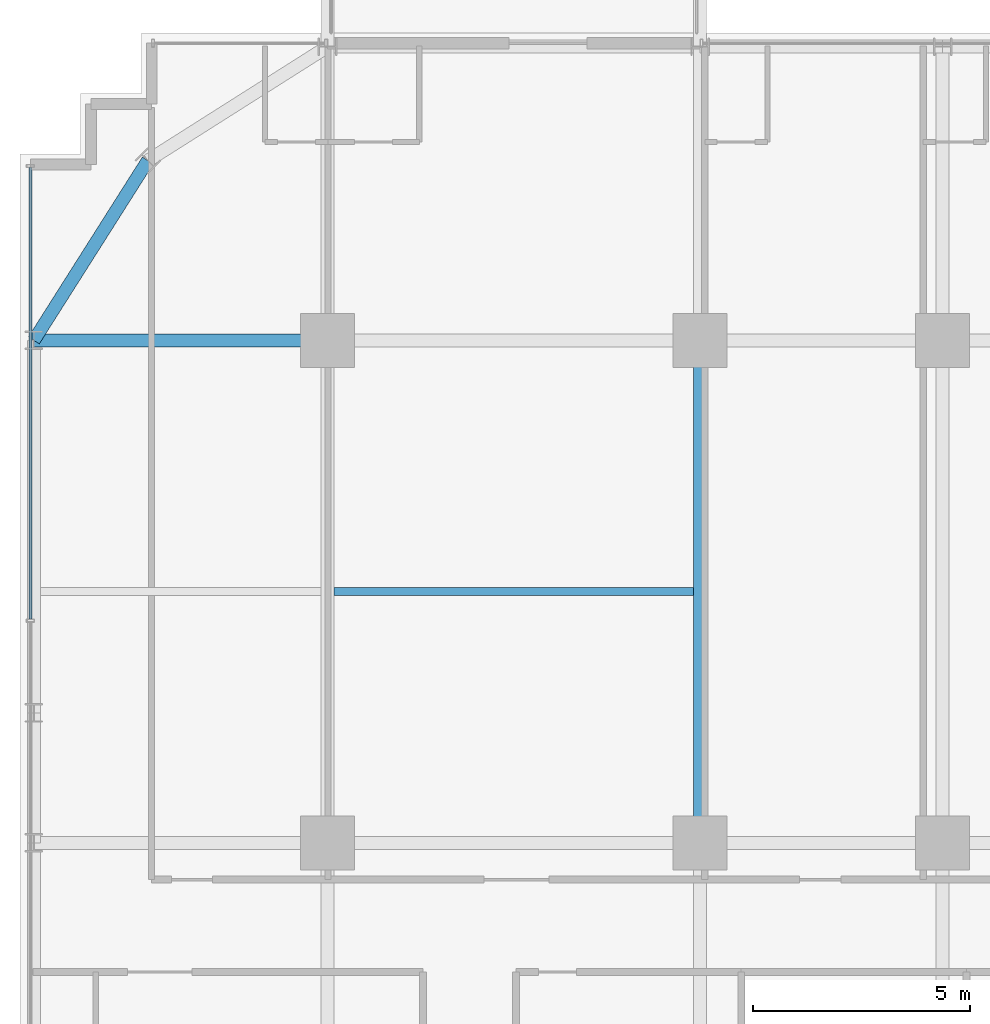
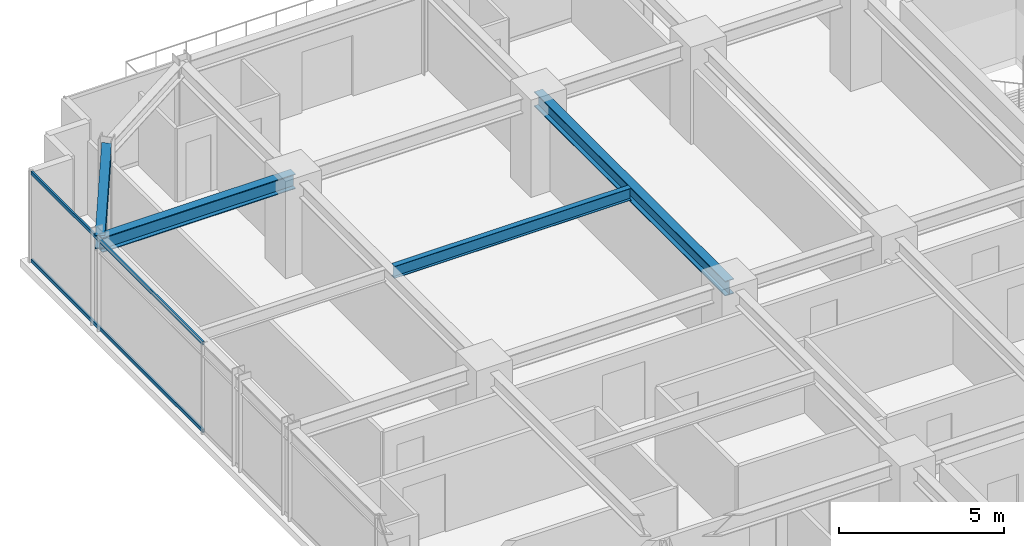
# One storey, part 17 of 34: 4 beams, 2 members, 1 element without a shape of its own.
"""IFC4 building model written with IfcOpenShell, lengths in metres."""

from ifc_helpers import new_model, si_unit, direction, frame, origin, origin_2d, place, context, subcontext, project, spatial, hollow_rectangle, i_section, extrude, source, transform, mapped, material, material_profile, profile_set, type_object, element, aggregate, save


model = new_model("IFC4")

# Units and contexts
model_context = context("Model", 3, precision=1e-05, world=origin(), true_north=direction((0.0, 1.0)))
body_context = subcontext(model_context, "Body", "Model", "MODEL_VIEW")
ifc_project = project(units=[si_unit("LENGTHUNIT", "METRE"), si_unit("AREAUNIT", "SQUARE_METRE"), si_unit("VOLUMEUNIT", "CUBIC_METRE"), si_unit("PLANEANGLEUNIT", "RADIAN"), si_unit("MASSUNIT", "GRAM", prefix="KILO")], contexts=[model_context])

# Site, building, storey
site_placement = place(None, origin())
site = spatial("IfcSite", under=ifc_project, at=site_placement, CompositionType="ELEMENT")
building_placement = place(site_placement, origin())
building = spatial("IfcBuilding", under=site, at=building_placement, Name="Nahalor Promenade Grand Hotel", CompositionType="ELEMENT")
storey_placement = place(building_placement, frame((0.0, 0.0, 128.449951171875)))
storey = spatial("IfcBuildingStorey", under=building, at=storey_placement, Name="L32", CompositionType="ELEMENT", Elevation=128.449951171875)

# Beams
ifc_material_1 = material(Name="Steel S355JR", Category="steel")
ifc_material_profile_1 = material_profile(ifc_material_1, i_section(OverallWidth=0.3, OverallDepth=0.5, WebThickness=0.0145, FlangeThickness=0.028, at=origin_2d()), Name="HEB 500")
ifc_profile_set_1 = profile_set([ifc_material_profile_1], Name="Steel S355JR")
beam_type_1 = type_object("IfcBeamType", Name="Beam-Spandrel-HEB500", PredefinedType="SPANDREL", material=ifc_profile_set_1)
shared_shape_1 = source(origin(), body_context, "Body", "SweptSolid", [
    extrude(i_section(OverallWidth=0.3, OverallDepth=0.5, WebThickness=0.0145, FlangeThickness=0.028, at=origin_2d()), origin(), (0.0, 0.0, 1.0), 4.9130859375),
])
beam_1_placement = place(storey_placement, frame((-21.14990234375, 21.14990234375, 3.130126953125), z_axis=(-0.535321591403, -0.844648325505, 0.0), x_axis=(0.844648325505, -0.535321591403, 0.0)))
element("IfcBeam", 1, at=beam_1_placement, inside=storey, type_object=beam_type_1, Name="BM-L32-SPC-NW-2", PredefinedType="SPANDREL", context=body_context, shape_type="MappedRepresentation", body=[
    mapped(shared_shape_1, transform((0.0, 0.0, 0.0), scale=1.0)),
])
ifc_material_profile_2 = material_profile(ifc_material_1, i_section(OverallWidth=0.3, OverallDepth=0.55, WebThickness=0.015, FlangeThickness=0.029, at=origin_2d()), Name="HEB 550")
ifc_profile_set_2 = profile_set([ifc_material_profile_2], Name="Steel S355JR")
beam_type_2 = type_object("IfcBeamType", Name="Beam-Girder-HEB550", PredefinedType="BEAM", material=ifc_profile_set_2)
shared_shape_2 = source(origin(), body_context, "Body", "SweptSolid", [
    extrude(i_section(OverallWidth=0.3, OverallDepth=0.55, WebThickness=0.015, FlangeThickness=0.029, at=origin_2d()), origin(), (0.0, 0.0, 1.0), 6.780029296875),
])
beam_2_placement = place(storey_placement, frame((-23.780029296875, 17.0, 3.10498046875), z_axis=(1.0, 0.0, 0.0), x_axis=(0.0, 1.0, 0.0)))
element("IfcBeam", 2, at=beam_2_placement, inside=storey, type_object=beam_type_2, Name="BM-L32-GX-3-0", PredefinedType="BEAM", context=body_context, shape_type="MappedRepresentation", body=[
    mapped(shared_shape_2, transform((0.0, 0.0, 0.0), scale=1.0)),
])
shared_shape_3 = source(origin(), body_context, "Body", "SweptSolid", [
    extrude(i_section(OverallWidth=0.3, OverallDepth=0.55, WebThickness=0.015, FlangeThickness=0.029, at=origin_2d()), origin(), (0.0, 0.0, 1.0), 11.60009765625),
])
beam_3_placement = place(storey_placement, frame((-8.39990234375, 5.39990234375, 3.10498046875), z_axis=(0.0, 1.0, 0.0), x_axis=(-1.0, 0.0, 0.0)))
element("IfcBeam", 3, at=beam_3_placement, inside=storey, type_object=beam_type_2, Name="BM-L32-GY-1-3", PredefinedType="BEAM", context=body_context, shape_type="MappedRepresentation", body=[
    mapped(shared_shape_3, transform((0.0, 0.0, 0.0), scale=1.0)),
])
ifc_material_profile_3 = material_profile(ifc_material_1, i_section(OverallWidth=0.19, OverallDepth=0.45, WebThickness=0.0094, FlangeThickness=0.0146, at=origin_2d()), Name="IPE 450")
ifc_profile_set_3 = profile_set([ifc_material_profile_3], Name="Steel S355JR")
beam_type_3 = type_object("IfcBeamType", Name="Beam-Joist-IPE450", PredefinedType="JOIST", material=ifc_profile_set_3)
shared_shape_4 = source(origin(), body_context, "Body", "SweptSolid", [
    extrude(i_section(OverallWidth=0.19, OverallDepth=0.45, WebThickness=0.0094, FlangeThickness=0.0146, at=origin_2d()), origin(), (0.0, 0.0, 1.0), 8.300048828125),
])
beam_4_placement = place(storey_placement, frame((-16.85009765625, 11.199951171875, 3.155029296875), z_axis=(1.0, 0.0, 0.0), x_axis=(0.0, 1.0, 0.0)))
element("IfcBeam", 4, at=beam_4_placement, inside=storey, type_object=beam_type_3, Name="BM-L32-JSW-1-1", PredefinedType="JOIST", context=body_context, shape_type="MappedRepresentation", body=[
    mapped(shared_shape_4, transform((0.0, 0.0, 0.0), scale=1.0)),
])

# Curtain wall, members
ifc_material_2 = material(Name="Anodised Bronze Aluminium EN AW-6063 T6", Category="aluminium")
curtain_wall_type = type_object("IfcCurtainWallType", Name="CW2 Typical Hotel Flush Bronze Unitised Curtain Wall", PredefinedType="USERDEFINED", material=ifc_material_2)
curtain_wall_placement = place(storey_placement, origin())
curtain_wall = element("IfcCurtainWall", 5, at=curtain_wall_placement, inside=storey, type_object=curtain_wall_type, Name="L32 Curtain Wall CW-L32-W-1", ObjectType="UNITISED_CURTAIN_WALL", PredefinedType="USERDEFINED")
ifc_material_profile_4 = material_profile(ifc_material_2, hollow_rectangle(XDim=0.065, YDim=0.13, WallThickness=0.004, at=origin_2d()), Name="CWT 65x130x4")
ifc_profile_set_4 = profile_set([ifc_material_profile_4], Name="Anodised Bronze Aluminium EN AW-6063 T6")
member_type = type_object("IfcMemberType", Name="CWT2 Typical Bronze Transom 65x130", PredefinedType="USERDEFINED", material=ifc_profile_set_4)
shared_shape_5 = source(origin(), body_context, "Body", "SweptSolid", [
    extrude(hollow_rectangle(XDim=0.065, YDim=0.13, WallThickness=0.004, at=origin_2d()), origin(), (0.0, 0.0, 1.0), 10.4326171875),
])
member_1_placement = place(storey_placement, frame((-23.860107421875, 10.5625, 0.06494140625), z_axis=(0.0, 1.0, 0.0), x_axis=(-1.0, 0.0, 0.0)))
member_1 = element("IfcMember", 6, at=member_1_placement, type_object=member_type, Name="CW-L32-W-1 Transom 3-0", ObjectType="TRANSOM", PredefinedType="USERDEFINED", context=body_context, shape_type="MappedRepresentation", body=[
    mapped(shared_shape_5, transform((0.0, 0.0, 0.0), scale=1.0)),
])
member_2_placement = place(storey_placement, frame((-23.860107421875, 10.5625, 3.31494140625), z_axis=(0.0, 1.0, 0.0), x_axis=(-1.0, 0.0, 0.0)))
member_2 = element("IfcMember", 7, at=member_2_placement, type_object=member_type, Name="CW-L32-W-1 Transom 3-1", ObjectType="TRANSOM", PredefinedType="USERDEFINED", context=body_context, shape_type="MappedRepresentation", body=[
    mapped(shared_shape_5, transform((0.0, 0.0, 0.0), scale=1.0)),
])
aggregate(curtain_wall, [member_1, member_2])

save(model, "model.ifc")
